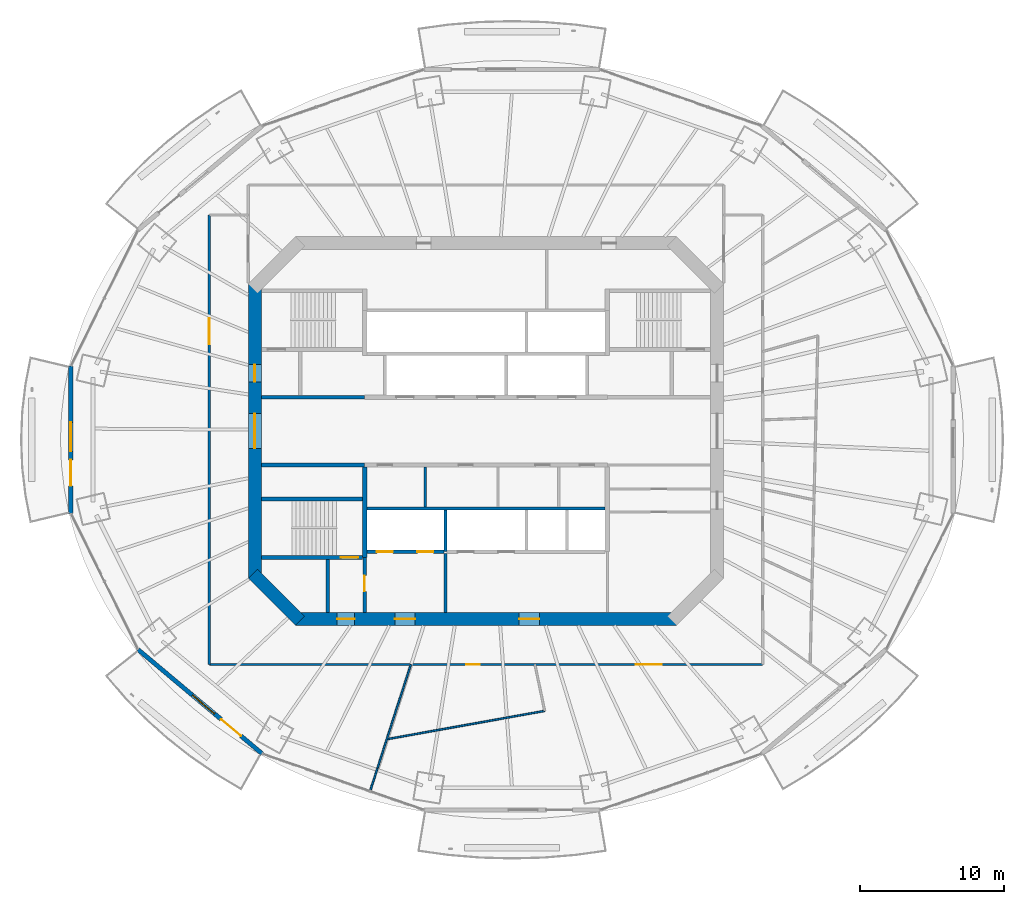
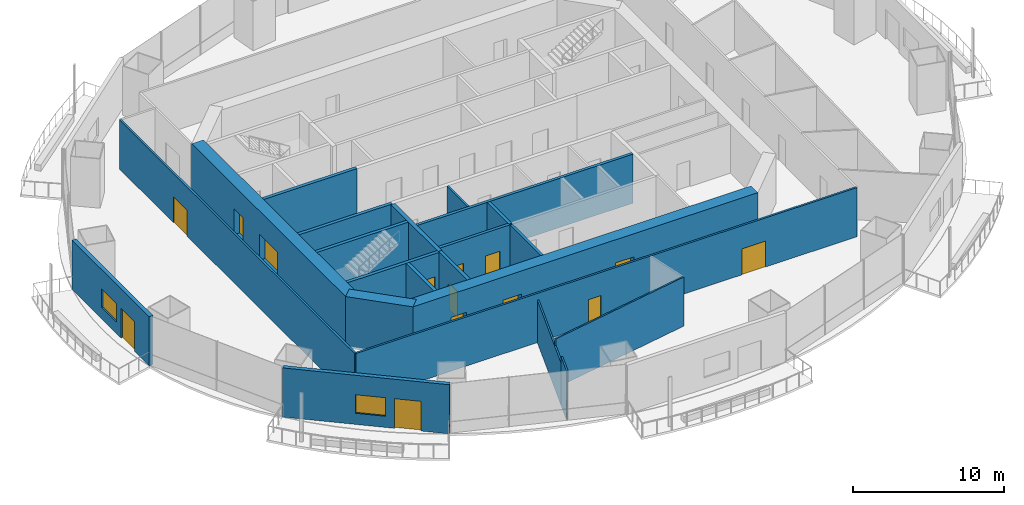
# One storey, part 11 of 20: 22 walls, 14 doors, 2 windows, 16 openings.
"""IFC4 building model written with IfcOpenShell, lengths in metres."""

from ifc_helpers import new_model, si_unit, direction, frame, frame_2d, origin, place, context, subcontext, project, spatial, rectangle, extrude, material, layer, layer_set, type_object, element, fill, save


model = new_model("IFC4")

# Units and contexts
model_context = context("Model", 3, precision=1e-05, world=origin(), true_north=direction((0.0, 1.0)))
body_context = subcontext(model_context, "Body", "Model", "MODEL_VIEW")
ifc_project = project(units=[si_unit("LENGTHUNIT", "METRE"), si_unit("AREAUNIT", "SQUARE_METRE"), si_unit("VOLUMEUNIT", "CUBIC_METRE"), si_unit("PLANEANGLEUNIT", "RADIAN"), si_unit("MASSUNIT", "GRAM", prefix="KILO")], contexts=[model_context])

# Site, building, storey
site_placement = place(None, origin())
site = spatial("IfcSite", under=ifc_project, at=site_placement, CompositionType="ELEMENT")
building_placement = place(site_placement, origin())
building = spatial("IfcBuilding", under=site, at=building_placement, Name="Marenthal Gate Tower", CompositionType="ELEMENT")
storey_placement = place(building_placement, frame((0.0, 0.0, 215.0)))
storey = spatial("IfcBuildingStorey", under=building, at=storey_placement, Name="L47", CompositionType="ELEMENT", Elevation=215.0)

# Wall, openings, doors
ifc_material_1 = material(Name="Concrete 60 MPa", Category="concrete")
ifc_layer_1 = layer(ifc_material_1, 0.89990234375)
ifc_layer_set_1 = layer_set([ifc_layer_1], Name="Core shear wall 900")
wall_type_1 = type_object("IfcWallType", Name="Core shear wall 900", PredefinedType="SHEAR", material=ifc_layer_set_1)
wall_1_placement = place(storey_placement, frame((-16.0, 10.186279296875, -0.179931640625), z_axis=(0.0, 0.0, 1.0), x_axis=(0.0, -1.0, 0.0)))
wall_1 = element("IfcWall", 1, at=wall_1_placement, inside=storey, type_object=wall_type_1, Name="Core wall 06", PredefinedType="SHEAR", context=body_context, shape_type="SweptSolid", body=[
    extrude(rectangle(XDim=20.37255859375, YDim=0.89990234375, at=frame_2d((10.186279296875, 0.0))), origin(), (0.0, 0.0, 1.0), 4.14990234375),
])
opening_1_placement = place(wall_1_placement, frame((8.986328125, 0.0, 0.179931640625)))
opening_1 = element("IfcOpeningElement", 2, at=opening_1_placement, cuts=wall_1, Name="Opening D003.01", PredefinedType="OPENING", context=body_context, shape_type="SweptSolid", body=[
    extrude(rectangle(XDim=2.39990234375, YDim=2.10009765625, at=frame_2d((1.199951171875, 1.050048828125))), frame((0.0, 0.4599609375, 0.0), z_axis=(0.0, -1.0, 0.0), x_axis=(1.0, 0.0, 0.0)), (0.0, 0.0, 1.0), 0.919921875),
])
opening_2_placement = place(wall_1_placement, frame((5.58642578125, 0.0, 0.179931640625)))
opening_2 = element("IfcOpeningElement", 3, at=opening_2_placement, cuts=wall_1, Name="Opening D001.04", PredefinedType="OPENING", context=body_context, shape_type="SweptSolid", body=[
    extrude(rectangle(XDim=1.199951171875, YDim=2.10009765625, at=frame_2d((0.60009765625, 1.050048828125))), frame((0.0, 0.4599609375, 0.0), z_axis=(0.0, -1.0, 0.0), x_axis=(1.0, 0.0, 0.0)), (0.0, 0.0, 1.0), 0.919921875),
])
ifc_material_2 = material(Name="Steel fire door", Category="steel")
door_type_1 = type_object("IfcDoorType", Name="Double fire door FD 45 2400 x 2100", OperationType="DOUBLE_DOOR_SINGLE_SWING", PredefinedType="DOOR", material=ifc_material_2)
door_1_placement = place(opening_1_placement, origin())
door_1 = element("IfcDoor", 4, at=door_1_placement, inside=storey, type_object=door_type_1, Name="Door D003.01", OperationType="DOUBLE_DOOR_SINGLE_SWING", OverallHeight=2.10009765625, OverallWidth=2.39990234375, PredefinedType="DOOR", context=body_context, shape_type="SweptSolid", body=[
    extrude(rectangle(XDim=2.39990234375, YDim=2.10009765625, at=frame_2d((1.199951171875, 1.050048828125))), frame((0.0, 0.02490234375, 0.0), z_axis=(0.0, -1.0, 0.0), x_axis=(1.0, 0.0, 0.0)), (0.0, 0.0, 1.0), 0.050048828125),
])
fill(opening_1, door_1)
ifc_material_3 = material(Name="Steel fire door", Category="steel")
door_type_2 = type_object("IfcDoorType", Name="Fire door FD 90 1200 x 2100", OperationType="NOTDEFINED", PredefinedType="DOOR", material=ifc_material_3)
door_2_placement = place(opening_2_placement, origin())
door_2 = element("IfcDoor", 5, at=door_2_placement, inside=storey, type_object=door_type_2, Name="Door D001.04", OperationType="SINGLE_SWING_RIGHT", OverallHeight=2.10009765625, OverallWidth=1.199951171875, PredefinedType="DOOR", context=body_context, shape_type="SweptSolid", body=[
    extrude(rectangle(XDim=1.199951171875, YDim=2.10009765625, at=frame_2d((0.60009765625, 1.050048828125))), frame((0.0, 0.02490234375, 0.0), z_axis=(0.0, -1.0, 0.0), x_axis=(1.0, 0.0, 0.0)), (0.0, 0.0, 1.0), 0.050048828125),
])
fill(opening_2, door_2)

# Wall
wall_2_placement = place(storey_placement, frame((-16.1318359375, -9.8681640625, -0.179931640625), z_axis=(0.0, 0.0, 1.0), x_axis=(0.707106781187, -0.707106781187, 0.0)))
element("IfcWall", 6, at=wall_2_placement, inside=storey, type_object=wall_type_1, Name="Core wall 07", PredefinedType="SHEAR", context=body_context, shape_type="SweptSolid", body=[
    extrude(rectangle(XDim=4.615478515625, YDim=0.89990234375, at=frame_2d((2.3076171875, 0.0))), origin(), (0.0, 0.0, 1.0), 4.14990234375),
])

# Wall, openings, doors
wall_3_placement = place(storey_placement, frame((-13.186279296875, -13.0, -0.179931640625), z_axis=(0.0, 0.0, 1.0), x_axis=(1.0, 0.0, 0.0)))
wall_3 = element("IfcWall", 7, at=wall_3_placement, inside=storey, type_object=wall_type_1, Name="Core wall 08", PredefinedType="SHEAR", context=body_context, shape_type="SweptSolid", body=[
    extrude(rectangle(XDim=26.37255859375, YDim=0.89990234375, at=frame_2d((13.186279296875, 0.0))), origin(), (0.0, 0.0, 1.0), 4.14990234375),
])
opening_3_placement = place(wall_3_placement, frame((2.886474609375, 0.0, 0.179931640625)))
opening_3 = element("IfcOpeningElement", 8, at=opening_3_placement, cuts=wall_3, Name="Opening D001.06", PredefinedType="OPENING", context=body_context, shape_type="SweptSolid", body=[
    extrude(rectangle(XDim=1.199951171875, YDim=2.10009765625, at=frame_2d((0.60009765625, 1.050048828125))), frame((0.0, 0.4599609375, 0.0), z_axis=(0.0, -1.0, 0.0), x_axis=(1.0, 0.0, 0.0)), (0.0, 0.0, 1.0), 0.919921875),
])
opening_4_placement = place(wall_3_placement, frame((6.886474609375, 0.0, 0.179931640625)))
opening_4 = element("IfcOpeningElement", 9, at=opening_4_placement, cuts=wall_3, Name="Opening D004.01", PredefinedType="OPENING", context=body_context, shape_type="SweptSolid", body=[
    extrude(rectangle(XDim=1.39990234375, YDim=2.10009765625, at=frame_2d((0.699951171875, 1.050048828125))), frame((0.0, 0.4599609375, 0.0), z_axis=(0.0, -1.0, 0.0), x_axis=(1.0, 0.0, 0.0)), (0.0, 0.0, 1.0), 0.919921875),
])
opening_5_placement = place(wall_3_placement, frame((15.486328125, 0.0, 0.179931640625)))
opening_5 = element("IfcOpeningElement", 10, at=opening_5_placement, cuts=wall_3, Name="Opening D004.02", PredefinedType="OPENING", context=body_context, shape_type="SweptSolid", body=[
    extrude(rectangle(XDim=1.39990234375, YDim=2.10009765625, at=frame_2d((0.699951171875, 1.050048828125))), frame((0.0, 0.4599609375, 0.0), z_axis=(0.0, -1.0, 0.0), x_axis=(1.0, 0.0, 0.0)), (0.0, 0.0, 1.0), 0.919921875),
])
ifc_material_4 = material(Name="Steel fire door", Category="steel")
door_type_3 = type_object("IfcDoorType", Name="Fire door FD 45 1400 x 2100", OperationType="NOTDEFINED", PredefinedType="DOOR", material=ifc_material_4)
door_3_placement = place(opening_4_placement, origin())
door_3 = element("IfcDoor", 11, at=door_3_placement, inside=storey, type_object=door_type_3, Name="Door D004.01", OperationType="SINGLE_SWING_RIGHT", OverallHeight=2.10009765625, OverallWidth=1.39990234375, PredefinedType="DOOR", context=body_context, shape_type="SweptSolid", body=[
    extrude(rectangle(XDim=1.39990234375, YDim=2.10009765625, at=frame_2d((0.699951171875, 1.050048828125))), frame((0.0, 0.02490234375, 0.0), z_axis=(0.0, -1.0, 0.0), x_axis=(1.0, 0.0, 0.0)), (0.0, 0.0, 1.0), 0.050048828125),
])
fill(opening_4, door_3)
door_4_placement = place(opening_5_placement, origin())
door_4 = element("IfcDoor", 12, at=door_4_placement, inside=storey, type_object=door_type_3, Name="Door D004.02", OperationType="SINGLE_SWING_RIGHT", OverallHeight=2.10009765625, OverallWidth=1.39990234375, PredefinedType="DOOR", context=body_context, shape_type="SweptSolid", body=[
    extrude(rectangle(XDim=1.39990234375, YDim=2.10009765625, at=frame_2d((0.699951171875, 1.050048828125))), frame((0.0, 0.02490234375, 0.0), z_axis=(0.0, -1.0, 0.0), x_axis=(1.0, 0.0, 0.0)), (0.0, 0.0, 1.0), 0.050048828125),
])
fill(opening_5, door_4)
door_5_placement = place(opening_3_placement, origin())
door_5 = element("IfcDoor", 13, at=door_5_placement, inside=storey, type_object=door_type_2, Name="Door D001.06", OperationType="SINGLE_SWING_RIGHT", OverallHeight=2.10009765625, OverallWidth=1.199951171875, PredefinedType="DOOR", context=body_context, shape_type="SweptSolid", body=[
    extrude(rectangle(XDim=1.199951171875, YDim=2.10009765625, at=frame_2d((0.60009765625, 1.050048828125))), frame((0.0, 0.02490234375, 0.0), z_axis=(0.0, -1.0, 0.0), x_axis=(1.0, 0.0, 0.0)), (0.0, 0.0, 1.0), 0.050048828125),
])
fill(opening_3, door_5)

# Walls
ifc_material_5 = material(Name="Gypsum board on steel studs", Category="steel")
ifc_layer_2 = layer(ifc_material_5, 0.199951171875)
ifc_layer_set_2 = layer_set([ifc_layer_2], Name="Fire lobby wall 200")
wall_type_2 = type_object("IfcWallType", Name="Fire lobby wall 200", PredefinedType="PARTITIONING", material=ifc_layer_set_2)
wall_4_placement = place(storey_placement, frame((-2.800048828125, -12.550048828125, 0.0), z_axis=(0.0, 0.0, 1.0), x_axis=(0.0, 1.0, 0.0)))
element("IfcWall", 14, at=wall_4_placement, inside=storey, type_object=wall_type_2, Name="Fire wall 36", PredefinedType="PARTITIONING", context=body_context, shape_type="SweptSolid", body=[
    extrude(rectangle(XDim=4.090087890625, YDim=0.199951171875, at=frame_2d((2.044921875, 0.0))), origin(), (0.0, 0.0, 1.0), 3.969970703125),
])
ifc_material_6 = material(Name="Concrete 50 MPa", Category="concrete")
ifc_layer_3 = layer(ifc_material_6, 0.300048828125)
ifc_layer_set_3 = layer_set([ifc_layer_3], Name="Hoistway shear wall 300")
wall_type_3 = type_object("IfcWallType", Name="Hoistway shear wall 300", PredefinedType="SHEAR", material=ifc_layer_set_3)
wall_5_placement = place(storey_placement, frame((-8.39990234375, -8.75, -0.179931640625), z_axis=(0.0, 0.0, 1.0), x_axis=(0.0, 1.0, 0.0)))
element("IfcWall", 15, at=wall_5_placement, inside=storey, type_object=wall_type_3, Name="Hoistway wall 31", PredefinedType="SHEAR", context=body_context, shape_type="SweptSolid", body=[
    extrude(rectangle(XDim=6.25, YDim=0.300048828125, at=frame_2d((3.125, 0.0))), origin(), (0.0, 0.0, 1.0), 4.14990234375),
])

# Wall, openings, doors
ifc_material_7 = material(Name="Concrete 40 MPa", Category="concrete")
ifc_layer_4 = layer(ifc_material_7, 0.219970703125)
ifc_layer_set_4 = layer_set([ifc_layer_4], Name="Hoistway wall 220")
wall_type_4 = type_object("IfcWallType", Name="Hoistway wall 220", PredefinedType="STANDARD", material=ifc_layer_set_4)
wall_6_placement = place(storey_placement, frame((-8.25, -8.35009765625, 0.0), z_axis=(0.0, 0.0, 1.0), x_axis=(1.0, 0.0, 0.0)))
wall_6 = element("IfcWall", 16, at=wall_6_placement, inside=storey, type_object=wall_type_4, Name="Hoistway wall 10", PredefinedType="STANDARD", context=body_context, shape_type="SweptSolid", body=[
    extrude(rectangle(XDim=5.340087890625, YDim=0.219970703125, at=frame_2d((2.669921875, 0.0))), origin(), (0.0, 0.0, 1.0), 3.969970703125),
])
opening_6_placement = place(wall_6_placement, frame((0.699951171875, 0.0, 0.0)))
opening_6 = element("IfcOpeningElement", 17, at=opening_6_placement, cuts=wall_6, Name="Opening LD-LF1", PredefinedType="OPENING", context=body_context, shape_type="SweptSolid", body=[
    extrude(rectangle(XDim=1.10009765625, YDim=2.10009765625, at=frame_2d((0.550048828125, 1.050048828125))), frame((0.0, 0.1201171875, 0.0), z_axis=(0.0, -1.0, 0.0), x_axis=(1.0, 0.0, 0.0)), (0.0, 0.0, 1.0), 0.239990234375),
])
opening_7_placement = place(wall_6_placement, frame((3.5, 0.0, 0.0)))
opening_7 = element("IfcOpeningElement", 18, at=opening_7_placement, cuts=wall_6, Name="Opening LD-LF2", PredefinedType="OPENING", context=body_context, shape_type="SweptSolid", body=[
    extrude(rectangle(XDim=1.10009765625, YDim=2.10009765625, at=frame_2d((0.550048828125, 1.050048828125))), frame((0.0, 0.1201171875, 0.0), z_axis=(0.0, -1.0, 0.0), x_axis=(1.0, 0.0, 0.0)), (0.0, 0.0, 1.0), 0.239990234375),
])
ifc_material_8 = material(Name="Stainless steel sliding door", Category="steel")
door_type_4 = type_object("IfcDoorType", Name="Lift landing door FD 90 1100 x 2100", OperationType="DOUBLE_DOOR_SLIDING", PredefinedType="DOOR", material=ifc_material_8)
door_6_placement = place(opening_6_placement, origin())
door_6 = element("IfcDoor", 19, at=door_6_placement, inside=storey, type_object=door_type_4, Name="Lift landing door LF1", OperationType="DOUBLE_DOOR_SLIDING", OverallHeight=2.10009765625, OverallWidth=1.10009765625, PredefinedType="DOOR", context=body_context, shape_type="SweptSolid", body=[
    extrude(rectangle(XDim=1.10009765625, YDim=2.10009765625, at=frame_2d((0.550048828125, 1.050048828125))), frame((0.0, 0.02490234375, 0.0), z_axis=(0.0, -1.0, 0.0), x_axis=(1.0, 0.0, 0.0)), (0.0, 0.0, 1.0), 0.050048828125),
])
fill(opening_6, door_6)
door_7_placement = place(opening_7_placement, origin())
door_7 = element("IfcDoor", 20, at=door_7_placement, inside=storey, type_object=door_type_4, Name="Lift landing door LF2", OperationType="DOUBLE_DOOR_SLIDING", OverallHeight=2.10009765625, OverallWidth=1.10009765625, PredefinedType="DOOR", context=body_context, shape_type="SweptSolid", body=[
    extrude(rectangle(XDim=1.10009765625, YDim=2.10009765625, at=frame_2d((0.550048828125, 1.050048828125))), frame((0.0, 0.02490234375, 0.0), z_axis=(0.0, -1.0, 0.0), x_axis=(1.0, 0.0, 0.0)), (0.0, 0.0, 1.0), 0.050048828125),
])
fill(opening_7, door_7)

# Walls
wall_7_placement = place(storey_placement, frame((-8.25, -5.35009765625, 0.0), z_axis=(0.0, 0.0, 1.0), x_axis=(1.0, 0.0, 0.0)))
element("IfcWall", 21, at=wall_7_placement, inside=storey, type_object=wall_type_4, Name="Hoistway wall 13", PredefinedType="STANDARD", context=body_context, shape_type="SweptSolid", body=[
    extrude(rectangle(XDim=16.5, YDim=0.219970703125, at=frame_2d((8.25, 0.0))), origin(), (0.0, 0.0, 1.0), 3.969970703125),
])
wall_8_placement = place(storey_placement, frame((-2.800048828125, -8.35009765625, 0.0), z_axis=(0.0, 0.0, 1.0), x_axis=(0.0, 1.0, 0.0)))
element("IfcWall", 22, at=wall_8_placement, inside=storey, type_object=wall_type_4, Name="Hoistway wall 37", PredefinedType="STANDARD", context=body_context, shape_type="SweptSolid", body=[
    extrude(rectangle(XDim=2.89013671875, YDim=0.219970703125, at=frame_2d((1.445068359375, 0.0))), origin(), (0.0, 0.0, 1.0), 3.969970703125),
])
ifc_material_9 = material(Name="Gypsum board on steel studs", Category="steel")
ifc_layer_5 = layer(ifc_material_9, 0.1201171875)
ifc_layer_set_5 = layer_set([ifc_layer_5], Name="Partition 120")
wall_type_5 = type_object("IfcWallType", Name="Partition 120", PredefinedType="PARTITIONING", material=ifc_layer_set_5)
wall_9_placement = place(storey_placement, frame((-6.865234375, -21.32666015625, 0.0), z_axis=(0.0, 0.0, 1.0), x_axis=(0.984270324464, 0.176668979676, 0.0)))
element("IfcWall", 23, at=wall_9_placement, inside=storey, type_object=wall_type_5, Name="Partition wall 55", PredefinedType="PARTITIONING", context=body_context, shape_type="SweptSolid", body=[
    extrude(rectangle(XDim=11.100830078125, YDim=0.1201171875, at=frame_2d((5.55029296875, 0.0))), origin(), (0.0, 0.0, 1.0), 3.969970703125),
])
wall_10_placement = place(storey_placement, frame((-5.19873046875, -16.14990234375, 0.0), z_axis=(0.0, 0.0, 1.0), x_axis=(-0.30641480545, -0.951898086457, 0.0)))
element("IfcWall", 24, at=wall_10_placement, inside=storey, type_object=wall_type_5, Name="Partition wall 56", PredefinedType="PARTITIONING", context=body_context, shape_type="SweptSolid", body=[
    extrude(rectangle(XDim=7.558837890625, YDim=0.1201171875, at=frame_2d((3.779296875, 0.0))), origin(), (0.0, 0.0, 1.0), 3.43408203125),
])
wall_11_placement = place(storey_placement, frame((-7.514892578125, -23.34521484375, 0.0), z_axis=(0.0, 0.0, 1.0), x_axis=(-0.306452252589, -0.951886031457, 0.0)))
element("IfcWall", 25, at=wall_11_placement, inside=storey, type_object=wall_type_5, Name="Partition wall 69", PredefinedType="PARTITIONING", context=body_context, shape_type="SweptSolid", body=[
    extrude(rectangle(XDim=1.65869140625, YDim=0.1201171875, at=frame_2d((0.829345703125, 0.0))), origin(), (0.0, 0.0, 1.0), 3.969970703125),
])
ifc_material_10 = material(Name="Gypsum board on steel studs", Category="steel")
ifc_layer_6 = layer(ifc_material_10, 0.14990234375)
ifc_layer_set_6 = layer_set([ifc_layer_6], Name="Partition 150")
wall_type_6 = type_object("IfcWallType", Name="Partition 150", PredefinedType="PARTITIONING", material=ifc_layer_set_6)
wall_12_placement = place(storey_placement, frame((-4.199951171875, -5.239990234375, 0.0), z_axis=(0.0, 0.0, 1.0), x_axis=(0.0, 1.0, 0.0)))
element("IfcWall", 26, at=wall_12_placement, inside=storey, type_object=wall_type_6, Name="Partition wall 35", PredefinedType="PARTITIONING", context=body_context, shape_type="SweptSolid", body=[
    extrude(rectangle(XDim=2.739990234375, YDim=0.14990234375, at=frame_2d((1.3701171875, 0.0))), origin(), (0.0, 0.0, 1.0), 3.969970703125),
])

# Wall, opening, door
wall_13_placement = place(storey_placement, frame((-19.14990234375, -16.14990234375, 0.0), z_axis=(0.0, 0.0, 1.0), x_axis=(0.0, 1.0, 0.0)))
wall_13 = element("IfcWall", 27, at=wall_13_placement, inside=storey, type_object=wall_type_6, Name="Partition wall 51", PredefinedType="PARTITIONING", context=body_context, shape_type="SweptSolid", body=[
    extrude(rectangle(XDim=31.114013671875, YDim=0.14990234375, at=frame_2d((15.55712890625, 0.0))), origin(), (0.0, 0.0, 1.0), 3.969970703125),
])
opening_8_placement = place(wall_13_placement, frame((22.166015625, 0.0, 0.0)))
opening_8 = element("IfcOpeningElement", 28, at=opening_8_placement, cuts=wall_13, Name="Opening D014.01", PredefinedType="OPENING", context=body_context, shape_type="SweptSolid", body=[
    extrude(rectangle(XDim=1.800048828125, YDim=2.10009765625, at=frame_2d((0.89990234375, 1.050048828125))), frame((0.0, 0.0849609375, 0.0), z_axis=(0.0, -1.0, 0.0), x_axis=(1.0, 0.0, 0.0)), (0.0, 0.0, 1.0), 0.169921875),
])
ifc_material_11 = material(Name="Timber door", Category="wood")
door_type_5 = type_object("IfcDoorType", Name="Double door 1800 x 2100", OperationType="DOUBLE_DOOR_SINGLE_SWING", PredefinedType="DOOR", material=ifc_material_11)
door_8_placement = place(opening_8_placement, origin())
door_8 = element("IfcDoor", 29, at=door_8_placement, inside=storey, type_object=door_type_5, Name="Door D014.01", OperationType="DOUBLE_DOOR_SINGLE_SWING", OverallHeight=2.10009765625, OverallWidth=1.800048828125, PredefinedType="DOOR", context=body_context, shape_type="SweptSolid", body=[
    extrude(rectangle(XDim=1.800048828125, YDim=2.10009765625, at=frame_2d((0.89990234375, 1.050048828125))), frame((0.0, 0.02490234375, 0.0), z_axis=(0.0, -1.0, 0.0), x_axis=(1.0, 0.0, 0.0)), (0.0, 0.0, 1.0), 0.050048828125),
])
fill(opening_8, door_8)

# Wall, openings, doors
wall_14_placement = place(storey_placement, frame((19.14990234375, -16.14990234375, 0.0), z_axis=(0.0, 0.0, 1.0), x_axis=(-1.0, 0.0, 0.0)))
wall_14 = element("IfcWall", 30, at=wall_14_placement, inside=storey, type_object=wall_type_6, Name="Partition wall 60", PredefinedType="PARTITIONING", context=body_context, shape_type="SweptSolid", body=[
    extrude(rectangle(XDim=38.2998046875, YDim=0.14990234375, at=frame_2d((19.14990234375, 0.0))), origin(), (0.0, 0.0, 1.0), 3.969970703125),
])
opening_9_placement = place(wall_14_placement, frame((19.5810546875, 0.0, 0.0)))
opening_9 = element("IfcOpeningElement", 31, at=opening_9_placement, cuts=wall_14, Name="Opening D016.01", PredefinedType="OPENING", context=body_context, shape_type="SweptSolid", body=[
    extrude(rectangle(XDim=0.949951171875, YDim=2.10009765625, at=frame_2d((0.47509765625, 1.050048828125))), frame((0.0, 0.0849609375, 0.0), z_axis=(0.0, -1.0, 0.0), x_axis=(1.0, 0.0, 0.0)), (0.0, 0.0, 1.0), 0.169921875),
])
opening_10_placement = place(wall_14_placement, frame((6.98095703125, 0.0, 0.0)))
opening_10 = element("IfcOpeningElement", 32, at=opening_10_placement, cuts=wall_14, Name="Opening D014.02", PredefinedType="OPENING", context=body_context, shape_type="SweptSolid", body=[
    extrude(rectangle(XDim=1.800048828125, YDim=2.10009765625, at=frame_2d((0.89990234375, 1.050048828125))), frame((0.0, 0.0849609375, 0.0), z_axis=(0.0, -1.0, 0.0), x_axis=(1.0, 0.0, 0.0)), (0.0, 0.0, 1.0), 0.169921875),
])
ifc_material_12 = material(Name="Timber door", Category="wood")
door_type_6 = type_object("IfcDoorType", Name="Door 950 x 2100", OperationType="NOTDEFINED", PredefinedType="DOOR", material=ifc_material_12)
door_9_placement = place(opening_9_placement, origin())
door_9 = element("IfcDoor", 33, at=door_9_placement, inside=storey, type_object=door_type_6, Name="Door D016.01", OperationType="SINGLE_SWING_RIGHT", OverallHeight=2.10009765625, OverallWidth=0.949951171875, PredefinedType="DOOR", context=body_context, shape_type="SweptSolid", body=[
    extrude(rectangle(XDim=0.949951171875, YDim=2.10009765625, at=frame_2d((0.47509765625, 1.050048828125))), frame((0.0, 0.02490234375, 0.0), z_axis=(0.0, -1.0, 0.0), x_axis=(1.0, 0.0, 0.0)), (0.0, 0.0, 1.0), 0.050048828125),
])
fill(opening_9, door_9)
door_10_placement = place(opening_10_placement, origin())
door_10 = element("IfcDoor", 34, at=door_10_placement, inside=storey, type_object=door_type_5, Name="Door D014.02", OperationType="DOUBLE_DOOR_SINGLE_SWING", OverallHeight=2.10009765625, OverallWidth=1.800048828125, PredefinedType="DOOR", context=body_context, shape_type="SweptSolid", body=[
    extrude(rectangle(XDim=1.800048828125, YDim=2.10009765625, at=frame_2d((0.89990234375, 1.050048828125))), frame((0.0, 0.02490234375, 0.0), z_axis=(0.0, -1.0, 0.0), x_axis=(1.0, 0.0, 0.0)), (0.0, 0.0, 1.0), 0.050048828125),
])
fill(opening_10, door_10)

# Walls
ifc_material_13 = material(Name="Concrete 40 MPa", Category="concrete")
ifc_layer_7 = layer(ifc_material_13, 0.25)
ifc_layer_set_7 = layer_set([ifc_layer_7], Name="Stair enclosure wall 250")
wall_type_7 = type_object("IfcWallType", Name="Stair enclosure wall 250", PredefinedType="STANDARD", material=ifc_layer_set_7)
for number, where, z_axis, x_axis, name in (
    (35, (-15.550048828125, -2.35009765625, 0.0), (0.0, 0.0, 1.0), (1.0, 0.0, 0.0), "Stair wall 16"),
    (36, (-15.550048828125, 2.35009765625, 0.0), (0.0, 0.0, 1.0), (1.0, 0.0, 0.0), "Stair wall 19"),
):
    element("IfcWall", number, at=place(storey_placement, frame(where, z_axis=z_axis, x_axis=x_axis)), inside=storey, type_object=wall_type_7, Name=name, PredefinedType="STANDARD", context=body_context, shape_type="SweptSolid", body=[
        extrude(rectangle(XDim=7.150146484375, YDim=0.25, at=frame_2d((3.5751953125, 0.0))), origin(), (0.0, 0.0, 1.0), 3.969970703125),
    ])
wall_15_placement = place(storey_placement, frame((-10.949951171875, -12.550048828125, 0.0), z_axis=(0.0, 0.0, 1.0), x_axis=(0.0, 1.0, 0.0)))
element("IfcWall", 37, at=wall_15_placement, inside=storey, type_object=wall_type_7, Name="Stair wall 29", PredefinedType="STANDARD", context=body_context, shape_type="SweptSolid", body=[
    extrude(rectangle(XDim=3.675048828125, YDim=0.25, at=frame_2d((1.83740234375, 0.0))), origin(), (0.0, 0.0, 1.0), 3.969970703125),
])

# Wall, opening, door
wall_16_placement = place(storey_placement, frame((-8.39990234375, -12.550048828125, 0.0), z_axis=(0.0, 0.0, 1.0), x_axis=(0.0, 1.0, 0.0)))
wall_16 = element("IfcWall", 38, at=wall_16_placement, inside=storey, type_object=wall_type_7, Name="Stair wall 30", PredefinedType="STANDARD", context=body_context, shape_type="SweptSolid", body=[
    extrude(rectangle(XDim=3.800048828125, YDim=0.25, at=frame_2d((1.89990234375, 0.0))), origin(), (0.0, 0.0, 1.0), 3.969970703125),
])
opening_11_placement = place(wall_16_placement, frame((1.449951171875, 0.0, 0.0)))
opening_11 = element("IfcOpeningElement", 39, at=opening_11_placement, cuts=wall_16, Name="Opening D002.01", PredefinedType="OPENING", context=body_context, shape_type="SweptSolid", body=[
    extrude(rectangle(XDim=1.10009765625, YDim=2.10009765625, at=frame_2d((0.550048828125, 1.050048828125))), frame((0.0, 0.135009765625, 0.0), z_axis=(0.0, -1.0, 0.0), x_axis=(1.0, 0.0, 0.0)), (0.0, 0.0, 1.0), 0.27001953125),
])
ifc_material_14 = material(Name="Steel fire door", Category="steel")
door_type_7 = type_object("IfcDoorType", Name="Fire door FD 90 1100 x 2100", OperationType="NOTDEFINED", PredefinedType="DOOR", material=ifc_material_14)
door_11_placement = place(opening_11_placement, origin())
door_11 = element("IfcDoor", 40, at=door_11_placement, inside=storey, type_object=door_type_7, Name="Door D002.01", OperationType="SINGLE_SWING_RIGHT", OverallHeight=2.10009765625, OverallWidth=1.10009765625, PredefinedType="DOOR", context=body_context, shape_type="SweptSolid", body=[
    extrude(rectangle(XDim=1.10009765625, YDim=2.10009765625, at=frame_2d((0.550048828125, 1.050048828125))), frame((0.0, 0.02490234375, 0.0), z_axis=(0.0, -1.0, 0.0), x_axis=(1.0, 0.0, 0.0)), (0.0, 0.0, 1.0), 0.050048828125),
])
fill(opening_11, door_11)

ifc_material_15 = material(Name="Concrete 50 MPa", Category="concrete")
ifc_layer_8 = layer(ifc_material_15, 0.25)
ifc_layer_set_8 = layer_set([ifc_layer_8], Name="Stair shear wall 250")
wall_type_8 = type_object("IfcWallType", Name="Stair shear wall 250", PredefinedType="SHEAR", material=ifc_layer_set_8)
wall_17_placement = place(storey_placement, frame((-15.550048828125, -8.75, -0.179931640625), z_axis=(0.0, 0.0, 1.0), x_axis=(1.0, 0.0, 0.0)))
wall_17 = element("IfcWall", 41, at=wall_17_placement, inside=storey, type_object=wall_type_8, Name="Stair wall 09", PredefinedType="SHEAR", context=body_context, shape_type="SweptSolid", body=[
    extrude(rectangle(XDim=7.0, YDim=0.25, at=frame_2d((3.5, 0.0))), origin(), (0.0, 0.0, 1.0), 4.14990234375),
])
opening_12_placement = place(wall_17_placement, frame((5.5, 0.0, 0.179931640625)))
opening_12 = element("IfcOpeningElement", 42, at=opening_12_placement, cuts=wall_17, Name="Opening D001.03", PredefinedType="OPENING", context=body_context, shape_type="SweptSolid", body=[
    extrude(rectangle(XDim=1.199951171875, YDim=2.10009765625, at=frame_2d((0.60009765625, 1.050048828125))), frame((0.0, 0.135009765625, 0.0), z_axis=(0.0, -1.0, 0.0), x_axis=(1.0, 0.0, 0.0)), (0.0, 0.0, 1.0), 0.27001953125),
])
door_12_placement = place(opening_12_placement, origin())
door_12 = element("IfcDoor", 43, at=door_12_placement, inside=storey, type_object=door_type_2, Name="Door D001.03", OperationType="SINGLE_SWING_RIGHT", OverallHeight=2.10009765625, OverallWidth=1.199951171875, PredefinedType="DOOR", context=body_context, shape_type="SweptSolid", body=[
    extrude(rectangle(XDim=1.199951171875, YDim=2.10009765625, at=frame_2d((0.60009765625, 1.050048828125))), frame((0.0, 0.02490234375, 0.0), z_axis=(0.0, -1.0, 0.0), x_axis=(1.0, 0.0, 0.0)), (0.0, 0.0, 1.0), 0.050048828125),
])
fill(opening_12, door_12)

# Wall
wall_18_placement = place(storey_placement, frame((-15.550048828125, -4.699951171875, -0.179931640625), z_axis=(0.0, 0.0, 1.0), x_axis=(1.0, 0.0, 0.0)))
element("IfcWall", 44, at=wall_18_placement, inside=storey, type_object=wall_type_8, Name="Stair wall 14", PredefinedType="SHEAR", context=body_context, shape_type="SweptSolid", body=[
    extrude(rectangle(XDim=7.0, YDim=0.25, at=frame_2d((3.5, 0.0))), origin(), (0.0, 0.0, 1.0), 4.14990234375),
])

# Wall, openings, door, window
ifc_material_16 = material(Name="Terracotta cladding on insulated concrete-block backing", Category="masonry")
ifc_layer_9 = layer(ifc_material_16, 0.300048828125)
ifc_layer_set_9 = layer_set([ifc_layer_9], Name="Terracotta facade wall 300")
wall_type_9 = type_object("IfcWallType", Name="Terracotta facade wall 300", PredefinedType="SOLIDWALL", material=ifc_layer_set_9)
wall_19_placement = place(storey_placement, frame((-28.731689453125, 4.497802734375, 0.0), z_axis=(0.0, 0.0, 1.0), x_axis=(0.0, -1.0, 0.0)))
wall_19 = element("IfcWall", 45, at=wall_19_placement, inside=storey, type_object=wall_type_9, Name="Terracotta facade wall L47 bay 8", PredefinedType="SOLIDWALL", context=body_context, shape_type="SweptSolid", body=[
    extrude(rectangle(XDim=10.195556640625, YDim=0.300048828125, at=frame_2d((5.09765625, 0.0))), origin(), (0.0, 0.0, 1.0), 3.969970703125),
])
opening_13_placement = place(wall_19_placement, frame((6.495361328125, 0.0, 0.0)))
opening_13 = element("IfcOpeningElement", 46, at=opening_13_placement, cuts=wall_19, Name="Opening BD-L47-08", PredefinedType="OPENING", context=body_context, shape_type="SweptSolid", body=[
    extrude(rectangle(XDim=1.800048828125, YDim=2.39990234375, at=frame_2d((0.89990234375, 1.199951171875))), frame((0.0, 0.16015625, 0.0), z_axis=(0.0, -1.0, 0.0), x_axis=(1.0, 0.0, 0.0)), (0.0, 0.0, 1.0), 0.320068359375),
])
opening_14_placement = place(wall_19_placement, frame((3.8955078125, 0.0, 0.89990234375)))
opening_14 = element("IfcOpeningElement", 47, at=opening_14_placement, cuts=wall_19, Name="Opening WN2-L47-08", PredefinedType="OPENING", context=body_context, shape_type="SweptSolid", body=[
    extrude(rectangle(XDim=2.0, YDim=1.5, at=frame_2d((1.0, 0.75))), frame((0.0, 0.16015625, 0.0), z_axis=(0.0, -1.0, 0.0), x_axis=(1.0, 0.0, 0.0)), (0.0, 0.0, 1.0), 0.320068359375),
])
ifc_material_17 = material(Name="Aluminium and glass", Category="aluminium")
door_type_8 = type_object("IfcDoorType", Name="Balcony door 1800x2400", OperationType="DOUBLE_DOOR_SINGLE_SWING", PredefinedType="DOOR", material=ifc_material_17)
door_13_placement = place(opening_13_placement, origin())
door_13 = element("IfcDoor", 48, at=door_13_placement, inside=storey, type_object=door_type_8, Name="Balcony door L47 bay 8", OperationType="SINGLE_SWING_LEFT", OverallHeight=2.39990234375, OverallWidth=1.800048828125, PredefinedType="DOOR", context=body_context, shape_type="SweptSolid", body=[
    extrude(rectangle(XDim=1.800048828125, YDim=2.39990234375, at=frame_2d((0.89990234375, 1.199951171875))), frame((0.0, 0.02490234375, 0.0), z_axis=(0.0, -1.0, 0.0), x_axis=(1.0, 0.0, 0.0)), (0.0, 0.0, 1.0), 0.050048828125),
])
fill(opening_13, door_13)
ifc_material_18 = material(Name="Aluminium and glass", Category="aluminium")
window_type = type_object("IfcWindowType", Name="Window 2000x1500", PartitioningType="DOUBLE_PANEL_VERTICAL", PredefinedType="WINDOW", material=ifc_material_18)
window_1_placement = place(opening_14_placement, origin())
window_1 = element("IfcWindow", 49, at=window_1_placement, inside=storey, type_object=window_type, Name="Window L47 bay 8", OverallHeight=1.5, OverallWidth=2.0, PartitioningType="SINGLE_PANEL", PredefinedType="WINDOW", context=body_context, shape_type="SweptSolid", body=[
    extrude(rectangle(XDim=2.0, YDim=1.5, at=frame_2d((1.0, 0.75))), frame((0.0, 0.030029296875, 0.0), z_axis=(0.0, -1.0, 0.0), x_axis=(1.0, 0.0, 0.0)), (0.0, 0.0, 1.0), 0.06005859375),
])
fill(opening_14, window_1)

wall_20_placement = place(storey_placement, frame((-24.08349609375, -15.1171875, 0.0), z_axis=(0.0, 0.0, 1.0), x_axis=(0.765944577674, -0.642906605917, 0.0)))
wall_20 = element("IfcWall", 50, at=wall_20_placement, inside=storey, type_object=wall_type_9, Name="Terracotta facade wall L47 bay 10", PredefinedType="SOLIDWALL", context=body_context, shape_type="SweptSolid", body=[
    extrude(rectangle(XDim=11.213134765625, YDim=0.300048828125, at=frame_2d((5.6064453125, 0.0))), origin(), (0.0, 0.0, 1.0), 3.969970703125),
])
opening_15_placement = place(wall_20_placement, frame((7.51318359375, 0.0, 0.0)))
opening_15 = element("IfcOpeningElement", 51, at=opening_15_placement, cuts=wall_20, Name="Opening BD-L47-10", PredefinedType="OPENING", context=body_context, shape_type="SweptSolid", body=[
    extrude(rectangle(XDim=1.800048828125, YDim=2.39990234375, at=frame_2d((0.89990234375, 1.199951171875))), frame((0.0, 0.16015625, 0.0), z_axis=(0.0, -1.0, 0.0), x_axis=(1.0, 0.0, 0.0)), (0.0, 0.0, 1.0), 0.320068359375),
])
opening_16_placement = place(wall_20_placement, frame((4.913330078125, 0.0, 0.89990234375)))
opening_16 = element("IfcOpeningElement", 52, at=opening_16_placement, cuts=wall_20, Name="Opening WN2-L47-10", PredefinedType="OPENING", context=body_context, shape_type="SweptSolid", body=[
    extrude(rectangle(XDim=2.0, YDim=1.5, at=frame_2d((1.0, 0.75))), frame((0.0, 0.16015625, 0.0), z_axis=(0.0, -1.0, 0.0), x_axis=(1.0, 0.0, 0.0)), (0.0, 0.0, 1.0), 0.320068359375),
])
door_14_placement = place(opening_15_placement, origin())
door_14 = element("IfcDoor", 53, at=door_14_placement, inside=storey, type_object=door_type_8, Name="Balcony door L47 bay 10", OperationType="SINGLE_SWING_LEFT", OverallHeight=2.39990234375, OverallWidth=1.800048828125, PredefinedType="DOOR", context=body_context, shape_type="SweptSolid", body=[
    extrude(rectangle(XDim=1.800048828125, YDim=2.39990234375, at=frame_2d((0.89990234375, 1.199951171875))), frame((0.0, 0.02490234375, 0.0), z_axis=(0.0, -1.0, 0.0), x_axis=(1.0, 0.0, 0.0)), (0.0, 0.0, 1.0), 0.050048828125),
])
fill(opening_15, door_14)
window_2_placement = place(opening_16_placement, origin())
window_2 = element("IfcWindow", 54, at=window_2_placement, inside=storey, type_object=window_type, Name="Window L47 bay 10", OverallHeight=1.5, OverallWidth=2.0, PartitioningType="SINGLE_PANEL", PredefinedType="WINDOW", context=body_context, shape_type="SweptSolid", body=[
    extrude(rectangle(XDim=2.0, YDim=1.5, at=frame_2d((1.0, 0.75))), frame((0.0, 0.030029296875, 0.0), z_axis=(0.0, -1.0, 0.0), x_axis=(1.0, 0.0, 0.0)), (0.0, 0.0, 1.0), 0.06005859375),
])
fill(opening_16, window_2)

save(model, "model.ifc")
